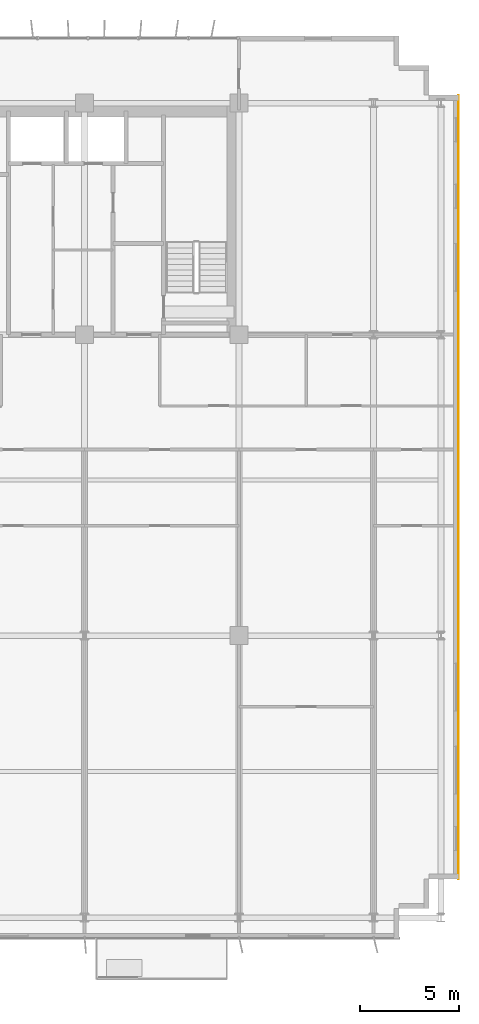
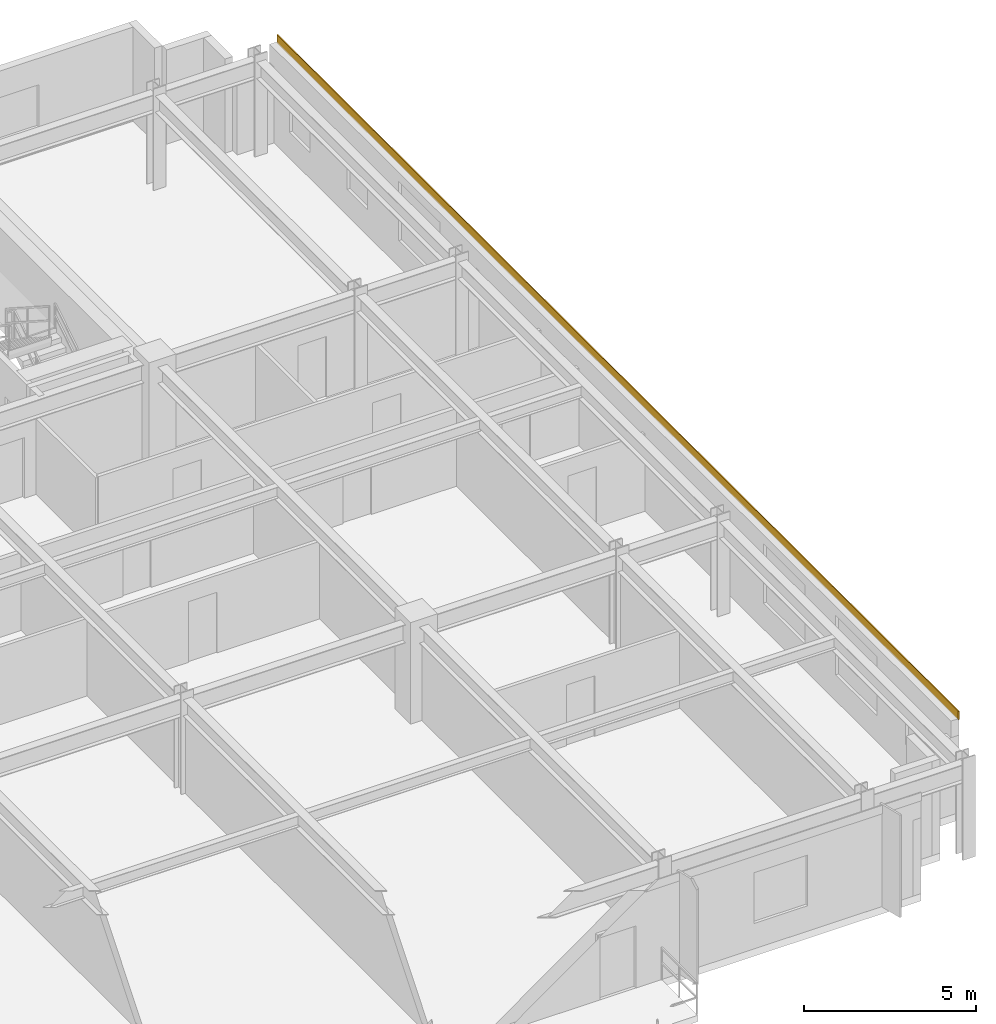
# One storey, part 21 of 21: 1 covering.
"""IFC4 building model written with IfcOpenShell, lengths in metres."""

from ifc_helpers import new_model, si_unit, direction, frame, origin, origin_2d, place, context, subcontext, project, spatial, rectangle, extrude, source, transform, mapped, material, layer, layer_set, type_object, element, save


model = new_model("IFC4")

# Units and contexts
model_context = context("Model", 3, precision=1e-05, world=origin(), true_north=direction((0.0, 1.0)))
body_context = subcontext(model_context, "Body", "Model", "MODEL_VIEW")
ifc_project = project(units=[si_unit("LENGTHUNIT", "METRE"), si_unit("AREAUNIT", "SQUARE_METRE"), si_unit("VOLUMEUNIT", "CUBIC_METRE"), si_unit("PLANEANGLEUNIT", "RADIAN"), si_unit("MASSUNIT", "GRAM", prefix="KILO")], contexts=[model_context])

# Site, building, storey
site_placement = place(None, origin())
site = spatial("IfcSite", under=ifc_project, at=site_placement, CompositionType="ELEMENT")
building_placement = place(site_placement, origin())
building = spatial("IfcBuilding", under=site, at=building_placement, Name="Trelvane Seafront Commons", CompositionType="ELEMENT")
storey_placement = place(building_placement, frame((0.0, 0.0, 37.89990234375)))
storey = spatial("IfcBuildingStorey", under=building, at=storey_placement, Name="L09", CompositionType="ELEMENT", Elevation=37.89990234375)

# Covering
ifc_material = material(Name="Anodised pale-silver aluminium", Category="aluminium")
ifc_layer = layer(ifc_material, 0.034912109375, Name="ARCH-COV-CLAD35")
ifc_layer_set = layer_set([ifc_layer], Name="Anodised pale-silver aluminium")
covering_type = type_object("IfcCoveringType", Name="ARCH-COV-CLAD35", PredefinedType="CLADDING", material=ifc_layer_set)
shared_shape = source(origin(), body_context, "Body", "SweptSolid", [
    extrude(rectangle(XDim=39.60009765625, YDim=0.034912109375, at=origin_2d()), origin(), (0.0, 0.0, 1.0), 0.300048828125),
])
covering_placement = place(storey_placement, frame((69.89990234375, 25.699951171875, 3.30029296875), z_axis=(0.0, 0.0, 1.0), x_axis=(0.0, -1.0, 0.0)))
element("IfcCovering", 1, at=covering_placement, inside=storey, type_object=covering_type, Name="CLD-L09-00052", PredefinedType="CLADDING", context=body_context, shape_type="MappedRepresentation", body=[
    mapped(shared_shape, transform((0.0, 0.0, 0.0), x_axis=(1.0, 0.0, 0.0), y_axis=(0.0, 1.0, 0.0), z_axis=(0.0, 0.0, 1.0), scale=1.0)),
])

save(model, "model.ifc")
